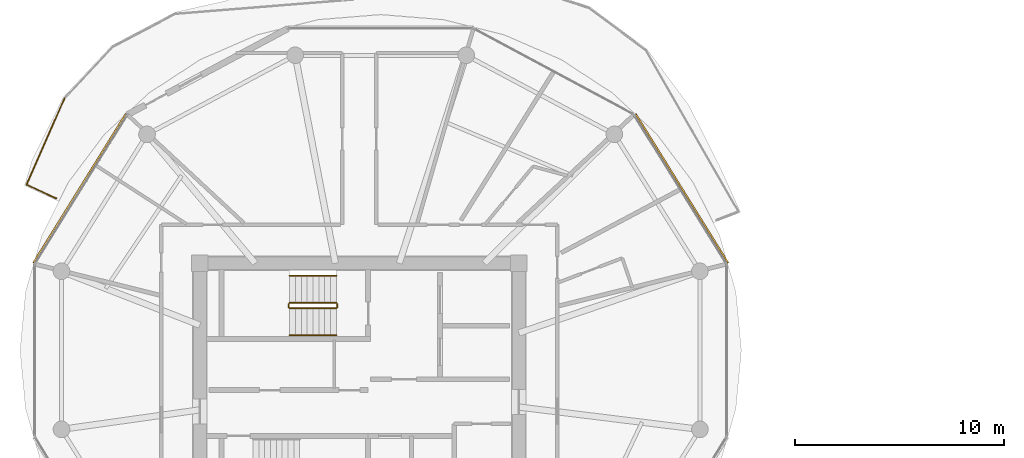
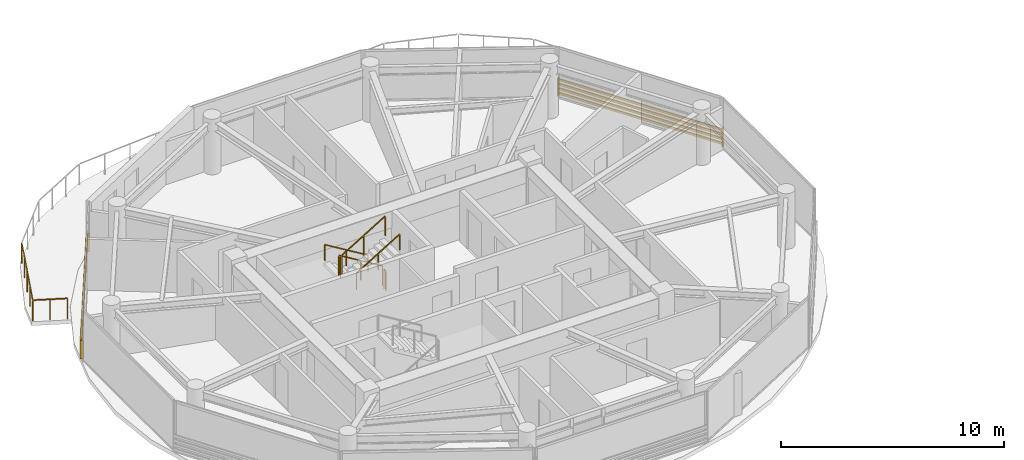
# One storey, part 19 of 21: 7 railings, 2 shading devices.
"""IFC4 building model written with IfcOpenShell, lengths in metres."""

from ifc_helpers import new_model, si_unit, direction, frame, origin, origin_2d, place, context, subcontext, project, spatial, rectangle, extrude, source, transform, mapped, material, type_object, type_shapes, element, save


model = new_model("IFC4")

# Units and contexts
model_context = context("Model", 3, precision=1e-05, world=origin(), true_north=direction((0.0, 1.0)))
body_context = subcontext(model_context, "Body", "Model", "MODEL_VIEW")
ifc_project = project(units=[si_unit("LENGTHUNIT", "METRE"), si_unit("AREAUNIT", "SQUARE_METRE"), si_unit("VOLUMEUNIT", "CUBIC_METRE"), si_unit("PLANEANGLEUNIT", "RADIAN"), si_unit("MASSUNIT", "GRAM", prefix="KILO")], contexts=[model_context])

# Site, building, storey
site_placement = place(None, origin())
site = spatial("IfcSite", under=ifc_project, at=site_placement, CompositionType="ELEMENT")
building_placement = place(site_placement, origin())
building = spatial("IfcBuilding", under=site, at=building_placement, Name="Norrkilde Senior Care Towers", CompositionType="ELEMENT")
storey_placement = place(building_placement, frame((0.0, 0.0, 149.550048828125)))
storey = spatial("IfcBuildingStorey", under=building, at=storey_placement, Name="L46", CompositionType="ELEMENT", Elevation=149.550048828125)

# Railings
ifc_material_1 = material(Name="Anodised Aluminium", Category="aluminium")
railing_type_1 = type_object("IfcRailingType", Name="Balcony Swirl Ribbon Guardrail 1150", PredefinedType="GUARDRAIL", material=ifc_material_1)
railing_1_placement = place(storey_placement, frame((-42.5400390625, 9.06396484375, 0.0)))
element("IfcRailing", 1, at=railing_1_placement, inside=storey, type_object=railing_type_1, Name="L46 Perimeter Safety Guard 04", PredefinedType="GUARDRAIL", context=body_context, shape_type="SweptSolid", body=[
    extrude(rectangle(XDim=0.048095703125, YDim=0.048095703125, at=origin_2d()), frame((0.0, 0.0, 1.1259765625), z_axis=(-0.907566947975, 0.419907412346, 0.0), x_axis=(-0.419907412346, -0.907566947975, 0.0)), (0.0, 0.0, 1.0), 1.526611328125),
    extrude(rectangle(XDim=0.048095703125, YDim=0.048095703125, at=origin_2d()), frame((-1.406005859375, 0.695556640625, 1.1259765625), z_axis=(0.403136512486, 0.915139853957, 0.0), x_axis=(-0.915139853957, 0.403136512486, 0.0)), (0.0, 0.0, 1.0), 4.482421875),
    extrude(rectangle(XDim=0.0419921875, YDim=0.0419921875, at=origin_2d()), origin(), (0.0, 0.0, 1.0), 1.099853515625),
    extrude(rectangle(XDim=0.0419921875, YDim=0.0419921875, at=origin_2d()), frame((-0.71142578125, 0.3291015625, 0.0)), (0.0, 0.0, 1.0), 1.099853515625),
    extrude(rectangle(XDim=0.0419921875, YDim=0.0419921875, at=origin_2d()), frame((-1.422607421875, 0.658203125, 0.0)), (0.0, 0.0, 1.0), 1.099853515625),
    extrude(rectangle(XDim=0.0419921875, YDim=0.0419921875, at=origin_2d()), frame((-0.966796875, 1.693115234375, 0.0)), (0.0, 0.0, 1.0), 1.099853515625),
    extrude(rectangle(XDim=0.0419921875, YDim=0.0419921875, at=origin_2d()), frame((-0.5107421875, 2.72802734375, 0.0)), (0.0, 0.0, 1.0), 1.099853515625),
    extrude(rectangle(XDim=0.0419921875, YDim=0.0419921875, at=origin_2d()), frame((-0.054931640625, 3.7626953125, 0.0)), (0.0, 0.0, 1.0), 1.099853515625),
    extrude(rectangle(XDim=0.0419921875, YDim=0.0419921875, at=origin_2d()), frame((0.40087890625, 4.797607421875, 0.0)), (0.0, 0.0, 1.0), 1.099853515625),
])
ifc_material_2 = material(Name="Stainless Steel", Category="steel")
railing_type_2 = type_object("IfcRailingType", Name="Stair and Terrace Guardrail 1100", PredefinedType="GUARDRAIL", material=ifc_material_2)
railing_2_placement = place(storey_placement, frame((-29.10009765625, 4.050048828125, 0.16943359375)))
element("IfcRailing", 2, at=railing_2_placement, inside=storey, type_object=railing_type_2, Name="L46 ST-W1 stair guard 1", PredefinedType="GUARDRAIL", context=body_context, shape_type="SweptSolid", body=[
    extrude(rectangle(XDim=0.048095703125, YDim=0.048095703125, at=origin_2d()), frame((0.0, 0.0, 1.076171875), z_axis=(-0.855553338991, 0.0, 0.51771467445), x_axis=(0.0, -1.0, 0.0)), (0.0, 0.0, 1.0), 2.6181640625),
    extrude(rectangle(XDim=0.0419921875, YDim=0.0419921875, at=origin_2d()), origin(), (0.0, 0.0, 1.0), 1.050048828125),
    extrude(rectangle(XDim=0.0419921875, YDim=0.0419921875, at=origin_2d()), frame((-1.1201171875, 0.0, 0.677734375)), (0.0, 0.0, 1.0), 1.050048828125),
    extrude(rectangle(XDim=0.0419921875, YDim=0.0419921875, at=origin_2d()), frame((-2.239990234375, 0.0, 1.35546875)), (0.0, 0.0, 1.0), 1.050048828125),
])
railing_3_placement = place(storey_placement, frame((-31.389892578125, 4.0, 1.52490234375)))
element("IfcRailing", 3, at=railing_3_placement, inside=storey, type_object=railing_type_2, Name="L46 ST-W1 stair guard 2", PredefinedType="GUARDRAIL", context=body_context, shape_type="SweptSolid", body=[
    extrude(rectangle(XDim=0.048095703125, YDim=0.048095703125, at=origin_2d()), frame((0.0, 0.0, 1.076171875), z_axis=(0.0, -1.0, 0.0), x_axis=(1.0, 0.0, 0.0)), (0.0, 0.0, 1.0), 0.14990234375),
    extrude(rectangle(XDim=0.0419921875, YDim=0.0419921875, at=origin_2d()), origin(), (0.0, 0.0, 1.0), 1.050048828125),
    extrude(rectangle(XDim=0.0419921875, YDim=0.0419921875, at=origin_2d()), frame((0.0, -0.14990234375, 0.0)), (0.0, 0.0, 1.0), 1.050048828125),
])
railing_4_placement = place(storey_placement, frame((-31.340087890625, 3.800048828125, 1.6943359375)))
element("IfcRailing", 4, at=railing_4_placement, inside=storey, type_object=railing_type_2, Name="L46 ST-W1 stair guard 3", PredefinedType="GUARDRAIL", context=body_context, shape_type="SweptSolid", body=[
    extrude(rectangle(XDim=0.048095703125, YDim=0.048095703125, at=origin_2d()), frame((0.0, 0.0, 1.076171875), z_axis=(0.855512035549, 0.0, 0.517782924622), x_axis=(0.0, 1.0, 0.0)), (0.0, 0.0, 1.0), 2.618408203125),
    extrude(rectangle(XDim=0.0419921875, YDim=0.0419921875, at=origin_2d()), origin(), (0.0, 0.0, 1.0), 1.050048828125),
    extrude(rectangle(XDim=0.0419921875, YDim=0.0419921875, at=origin_2d()), frame((1.1201171875, 0.0, 0.677734375)), (0.0, 0.0, 1.0), 1.050048828125),
    extrude(rectangle(XDim=0.0419921875, YDim=0.0419921875, at=origin_2d()), frame((2.239990234375, 0.0, 1.355712890625)), (0.0, 0.0, 1.0), 1.050048828125),
])
railing_5_placement = place(storey_placement, frame((-29.050048828125, 4.0, 0.0)))
element("IfcRailing", 5, at=railing_5_placement, inside=storey, type_object=railing_type_2, Name="L46 ST-W1 stair guard 4", PredefinedType="GUARDRAIL", context=body_context, shape_type="SweptSolid", body=[
    extrude(rectangle(XDim=0.048095703125, YDim=0.048095703125, at=origin_2d()), frame((0.0, 0.0, 1.076171875), z_axis=(0.0, -1.0, 0.0), x_axis=(1.0, 0.0, 0.0)), (0.0, 0.0, 1.0), 0.14990234375),
    extrude(rectangle(XDim=0.0419921875, YDim=0.0419921875, at=origin_2d()), origin(), (0.0, 0.0, 1.0), 1.050048828125),
    extrude(rectangle(XDim=0.0419921875, YDim=0.0419921875, at=origin_2d()), frame((0.0, -0.14990234375, 0.0)), (0.0, 0.0, 1.0), 1.050048828125),
])
ifc_material_3 = material(Name="Nordic Ash Timber", Category="wood")
railing_type_3 = type_object("IfcRailingType", Name="Wall and Stair Handrail 900", PredefinedType="HANDRAIL", material=ifc_material_3)
railing_6_placement = place(storey_placement, frame((-29.10009765625, 5.35009765625, 0.16943359375)))
element("IfcRailing", 6, at=railing_6_placement, inside=storey, type_object=railing_type_3, Name="L46 ST-W1 stair handrail 1", PredefinedType="HANDRAIL", context=body_context, shape_type="SweptSolid", body=[
    extrude(rectangle(XDim=0.048095703125, YDim=0.048095703125, at=origin_2d()), frame((0.0, 0.0, 0.8759765625), z_axis=(-0.855553338991, 0.0, 0.51771467445), x_axis=(0.0, -1.0, 0.0)), (0.0, 0.0, 1.0), 2.6181640625),
    extrude(rectangle(XDim=0.0419921875, YDim=0.0419921875, at=origin_2d()), origin(), (0.0, 0.0, 1.0), 0.849853515625),
    extrude(rectangle(XDim=0.0419921875, YDim=0.0419921875, at=origin_2d()), frame((-1.1201171875, 0.0, 0.677734375)), (0.0, 0.0, 1.0), 0.849853515625),
    extrude(rectangle(XDim=0.0419921875, YDim=0.0419921875, at=origin_2d()), frame((-2.239990234375, 0.0, 1.35546875)), (0.0, 0.0, 1.0), 0.849853515625),
])
railing_7_placement = place(storey_placement, frame((-31.340087890625, 2.5, 1.6943359375)))
element("IfcRailing", 7, at=railing_7_placement, inside=storey, type_object=railing_type_3, Name="L46 ST-W1 stair handrail 2", PredefinedType="HANDRAIL", context=body_context, shape_type="SweptSolid", body=[
    extrude(rectangle(XDim=0.048095703125, YDim=0.048095703125, at=origin_2d()), frame((0.0, 0.0, 0.8759765625), z_axis=(0.855512035549, 0.0, 0.517782924622), x_axis=(0.0, 1.0, 0.0)), (0.0, 0.0, 1.0), 2.618408203125),
    extrude(rectangle(XDim=0.0419921875, YDim=0.0419921875, at=origin_2d()), origin(), (0.0, 0.0, 1.0), 0.849853515625),
    extrude(rectangle(XDim=0.0419921875, YDim=0.0419921875, at=origin_2d()), frame((1.1201171875, 0.0, 0.677734375)), (0.0, 0.0, 1.0), 0.849853515625),
    extrude(rectangle(XDim=0.0419921875, YDim=0.0419921875, at=origin_2d()), frame((2.239990234375, 0.0, 1.355712890625)), (0.0, 0.0, 1.0), 0.849853515625),
])

# Shading devices
ifc_material_4 = material(Name="Architectural Terracotta", Category="masonry")
shading_device_type = type_object("IfcShadingDeviceType", Name="Horizontal Terracotta Baguette Rack", PredefinedType="USERDEFINED", material=ifc_material_4)
shared_shape = source(origin(), body_context, "Body", "SweptSolid", [
    extrude(rectangle(XDim=0.070068359375, YDim=0.110107421875, at=origin_2d()), frame((0.0, 0.090087890625, 0.125), z_axis=(1.0, 0.0, 0.0), x_axis=(0.0, 1.0, 0.0)), (0.0, 0.0, 1.0), 8.431396484375),
    extrude(rectangle(XDim=0.070068359375, YDim=0.110107421875, at=origin_2d()), frame((0.0, 0.090087890625, 0.375), z_axis=(1.0, 0.0, 0.0), x_axis=(0.0, 1.0, 0.0)), (0.0, 0.0, 1.0), 8.431396484375),
    extrude(rectangle(XDim=0.070068359375, YDim=0.110107421875, at=origin_2d()), frame((0.0, 0.090087890625, 0.625), z_axis=(1.0, 0.0, 0.0), x_axis=(0.0, 1.0, 0.0)), (0.0, 0.0, 1.0), 8.431396484375),
    extrude(rectangle(XDim=0.070068359375, YDim=0.110107421875, at=origin_2d()), frame((0.0, 0.090087890625, 0.875), z_axis=(1.0, 0.0, 0.0), x_axis=(0.0, 1.0, 0.0)), (0.0, 0.0, 1.0), 8.431396484375),
    extrude(rectangle(XDim=0.050048828125, YDim=0.1552734375, at=origin_2d()), frame((0.02490234375, 0.047607421875, 0.0)), (0.0, 0.0, 1.0), 1.0),
    extrude(rectangle(XDim=0.050048828125, YDim=0.1552734375, at=origin_2d()), frame((8.40625, 0.047607421875, 0.0)), (0.0, 0.0, 1.0), 1.0),
])
type_shapes(shading_device_type, [shared_shape])
for number, where, z_axis, x_axis, name in (
    (8, (-14.826904296875, 13.074951171875, 0.079833984375), (0.0, 0.0, 1.0), (0.527378022296, -0.849630809324, 0.0), "L46 Drum W Terracotta Baguette Screen 00"),
    (9, (-43.569580078125, 5.911376953125, 0.079833984375), (0.0, 0.0, 1.0), (0.527378022296, 0.849630809324, 0.0), "L46 Drum W Terracotta Baguette Screen 04"),
):
    element("IfcShadingDevice", number, at=place(storey_placement, frame(where, z_axis=z_axis, x_axis=x_axis)), inside=storey, type_object=shading_device_type, Name=name, ObjectType="BAGUETTE", PredefinedType="USERDEFINED", context=body_context, shape_type="MappedRepresentation", body=[
        mapped(shared_shape, transform((0.0, 0.0, 0.0), x_axis=(1.0, 0.0, 0.0), y_axis=(0.0, 1.0, 0.0), z_axis=(0.0, 0.0, 1.0), scale=1.0)),
    ])

save(model, "model.ifc")
